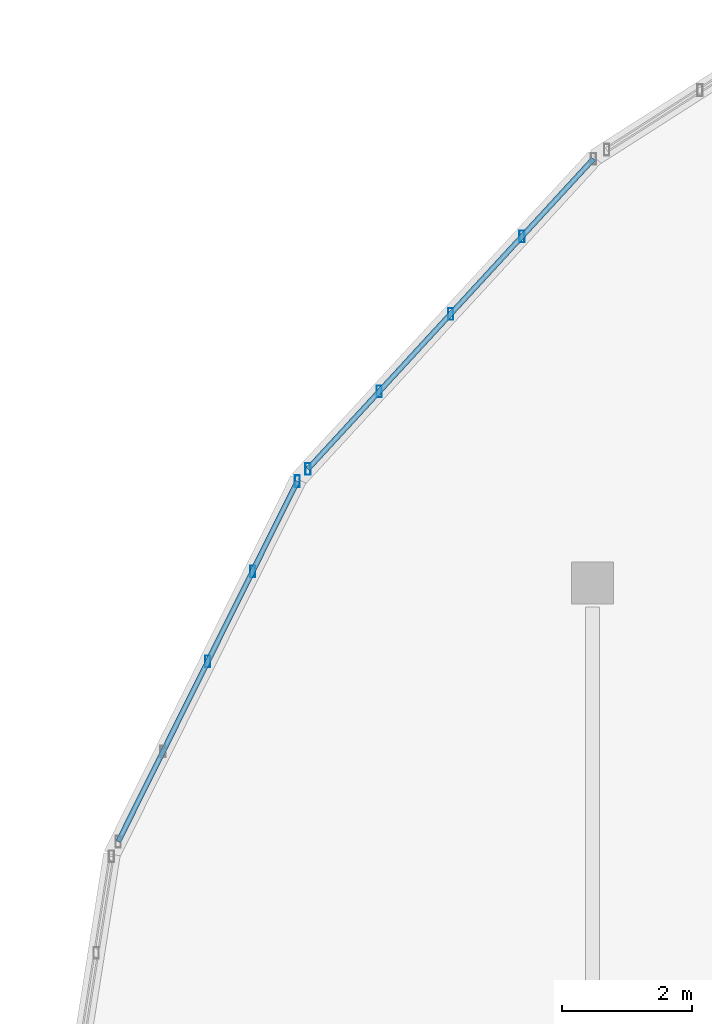
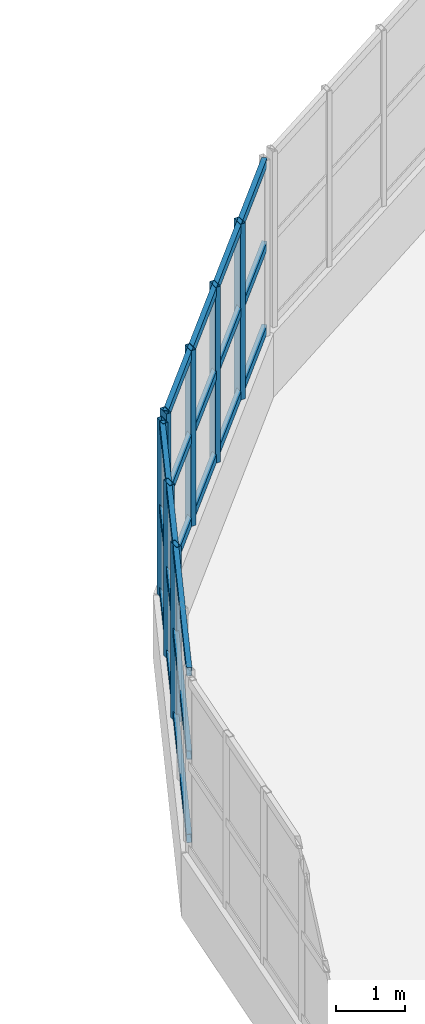
# One storey, part 12 of 50: 13 members, 2 elements without a shape of their own.
"""IFC4 building model written with IfcOpenShell, lengths in metres."""

from ifc_helpers import new_model, si_unit, direction, frame, origin, origin_2d, place, context, subcontext, project, spatial, hollow_rectangle, extrude, material, material_profile, profile_set, type_object, element, aggregate, save


model = new_model("IFC4")

# Units and contexts
model_context = context("Model", 3, precision=1e-05, world=origin(), true_north=direction((0.0, 1.0)))
body_context = subcontext(model_context, "Body", "Model", "MODEL_VIEW")
ifc_project = project(units=[si_unit("LENGTHUNIT", "METRE"), si_unit("AREAUNIT", "SQUARE_METRE"), si_unit("VOLUMEUNIT", "CUBIC_METRE"), si_unit("PLANEANGLEUNIT", "RADIAN"), si_unit("MASSUNIT", "GRAM", prefix="KILO")], contexts=[model_context])

# Site, building, storey
site_placement = place(None, origin())
site = spatial("IfcSite", under=ifc_project, at=site_placement, CompositionType="ELEMENT")
building_placement = place(site_placement, origin())
building = spatial("IfcBuilding", under=site, at=building_placement, Name="Solvento Point Concert Hall", CompositionType="ELEMENT")
storey_placement = place(building_placement, frame((0.0, 0.0, 15.0)))
storey = spatial("IfcBuildingStorey", under=building, at=storey_placement, Name="L03", CompositionType="ELEMENT", Elevation=15.0)

# Curtain wall, members
ifc_material_1 = material(Name="Anodized Bronze Aluminium", Category="aluminium")
curtain_wall_type = type_object("IfcCurtainWallType", Name="CurtainWall_RingRibbon_L03_04", PredefinedType="USERDEFINED", material=ifc_material_1)
curtain_wall_1_placement = place(storey_placement, origin())
curtain_wall_1 = element("IfcCurtainWall", 1, at=curtain_wall_1_placement, inside=storey, type_object=curtain_wall_type, Name="Unitised curtain wall CW-31 UCW-L03-192", ObjectType="UNITISED CURTAIN WALL", PredefinedType="USERDEFINED")
ifc_material_2 = material(Name="Anodized Bronze Aluminium", Category="aluminium")
ifc_material_profile_1 = material_profile(ifc_material_2, hollow_rectangle(XDim=0.080078125, YDim=0.179931640625, WallThickness=0.00390625, at=origin_2d()), Name="CW-MUL-80X180")
ifc_profile_set_1 = profile_set([ifc_material_profile_1], Name="Anodized Bronze Aluminium")
member_type_1 = type_object("IfcMemberType", Name="Mullion_80x180", PredefinedType="MULLION", material=ifc_profile_set_1)
member_1_placement = place(storey_placement, frame((34.8623046875, 41.291015625, 1.1201171875), z_axis=(0.0, 0.0, 1.0), x_axis=(1.0, 0.0, 0.0)))
member_1 = element("IfcMember", 2, at=member_1_placement, type_object=member_type_1, Name="Curtain wall mullion ML-01", PredefinedType="MULLION", context=body_context, shape_type="SweptSolid", body=[
    extrude(hollow_rectangle(XDim=0.080078125, YDim=0.179931640625, WallThickness=0.00390625, at=origin_2d()), origin(), (0.0, 0.0, 1.0), 3.08984375),
])
member_2_placement = place(storey_placement, frame((35.5537109375, 42.681884765625, 1.1201171875), z_axis=(0.0, 0.0, 1.0), x_axis=(1.0, 0.0, 0.0)))
member_2 = element("IfcMember", 3, at=member_2_placement, type_object=member_type_1, Name="Curtain wall mullion ML-01", PredefinedType="MULLION", context=body_context, shape_type="SweptSolid", body=[
    extrude(hollow_rectangle(XDim=0.080078125, YDim=0.179931640625, WallThickness=0.00390625, at=origin_2d()), origin(), (0.0, 0.0, 1.0), 3.08984375),
])
member_3_placement = place(storey_placement, frame((36.2451171875, 44.072998046875, 1.1201171875), z_axis=(0.0, 0.0, 1.0), x_axis=(1.0, 0.0, 0.0)))
member_3 = element("IfcMember", 4, at=member_3_placement, type_object=member_type_1, Name="Curtain wall mullion ML-01", PredefinedType="MULLION", context=body_context, shape_type="SweptSolid", body=[
    extrude(hollow_rectangle(XDim=0.080078125, YDim=0.179931640625, WallThickness=0.00390625, at=origin_2d()), origin(), (0.0, 0.0, 1.0), 3.08984375),
])

curtain_wall_2_placement = place(storey_placement, origin())
curtain_wall_2 = element("IfcCurtainWall", 5, at=curtain_wall_2_placement, inside=storey, type_object=curtain_wall_type, Name="Unitised curtain wall CW-31 UCW-L03-193", ObjectType="UNITISED CURTAIN WALL", PredefinedType="USERDEFINED")
member_4_placement = place(storey_placement, frame((36.407470703125, 44.26171875, 1.1201171875), z_axis=(0.0, 0.0, 1.0), x_axis=(1.0, 0.0, 0.0)))
member_4 = element("IfcMember", 6, at=member_4_placement, type_object=member_type_1, Name="Curtain wall mullion ML-01", PredefinedType="MULLION", context=body_context, shape_type="SweptSolid", body=[
    extrude(hollow_rectangle(XDim=0.080078125, YDim=0.179931640625, WallThickness=0.00390625, at=origin_2d()), origin(), (0.0, 0.0, 1.0), 3.08984375),
])
member_5_placement = place(storey_placement, frame((37.509521484375, 45.45849609375, 1.1201171875), z_axis=(0.0, 0.0, 1.0), x_axis=(1.0, 0.0, 0.0)))
member_5 = element("IfcMember", 7, at=member_5_placement, type_object=member_type_1, Name="Curtain wall mullion ML-01", PredefinedType="MULLION", context=body_context, shape_type="SweptSolid", body=[
    extrude(hollow_rectangle(XDim=0.080078125, YDim=0.179931640625, WallThickness=0.00390625, at=origin_2d()), origin(), (0.0, 0.0, 1.0), 3.08984375),
])
member_6_placement = place(storey_placement, frame((38.611083984375, 46.6552734375, 1.1201171875), z_axis=(0.0, 0.0, 1.0), x_axis=(1.0, 0.0, 0.0)))
member_6 = element("IfcMember", 8, at=member_6_placement, type_object=member_type_1, Name="Curtain wall mullion ML-01", PredefinedType="MULLION", context=body_context, shape_type="SweptSolid", body=[
    extrude(hollow_rectangle(XDim=0.080078125, YDim=0.179931640625, WallThickness=0.00390625, at=origin_2d()), origin(), (0.0, 0.0, 1.0), 3.08984375),
])
member_7_placement = place(storey_placement, frame((39.713134765625, 47.851806640625, 1.1201171875), z_axis=(0.0, 0.0, 1.0), x_axis=(1.0, 0.0, 0.0)))
member_7 = element("IfcMember", 9, at=member_7_placement, type_object=member_type_1, Name="Curtain wall mullion ML-01", PredefinedType="MULLION", context=body_context, shape_type="SweptSolid", body=[
    extrude(hollow_rectangle(XDim=0.080078125, YDim=0.179931640625, WallThickness=0.00390625, at=origin_2d()), origin(), (0.0, 0.0, 1.0), 3.08984375),
])

# Member
ifc_material_3 = material(Name="Anodized Bronze Aluminium", Category="aluminium")
ifc_material_profile_2 = material_profile(ifc_material_3, hollow_rectangle(XDim=0.080078125, YDim=0.14990234375, WallThickness=0.00390625, at=origin_2d()), Name="CW-TRN-80X150")
ifc_profile_set_2 = profile_set([ifc_material_profile_2], Name="Anodized Bronze Aluminium")
member_type_2 = type_object("IfcMemberType", Name="Transom_80x150", PredefinedType="USERDEFINED", material=ifc_profile_set_2)
member_8_placement = place(storey_placement, frame((33.479248046875, 38.5087890625, 1.199951171875), z_axis=(0.445122119468, 0.895469875965, 0.0), x_axis=(-0.895469875965, 0.445122119468, 0.0)))
member_8 = element("IfcMember", 10, at=member_8_placement, type_object=member_type_2, Name="Curtain wall transom TR-01", ObjectType="TRANSOM", PredefinedType="USERDEFINED", context=body_context, shape_type="SweptSolid", body=[
    extrude(hollow_rectangle(XDim=0.080078125, YDim=0.14990234375, WallThickness=0.00390625, at=origin_2d()), origin(), (0.0, 0.0, 1.0), 6.213623046875),
])

member_9_placement = place(storey_placement, frame((33.479248046875, 38.5087890625, 2.6650390625), z_axis=(0.445122119468, 0.895469875965, 0.0), x_axis=(-0.895469875965, 0.445122119468, 0.0)))
member_9 = element("IfcMember", 11, at=member_9_placement, type_object=member_type_2, Name="Curtain wall transom TR-01", ObjectType="TRANSOM", PredefinedType="USERDEFINED", context=body_context, shape_type="SweptSolid", body=[
    extrude(hollow_rectangle(XDim=0.080078125, YDim=0.14990234375, WallThickness=0.00390625, at=origin_2d()), origin(), (0.0, 0.0, 1.0), 6.213623046875),
])

member_10_placement = place(storey_placement, frame((33.479248046875, 38.5087890625, 4.1298828125), z_axis=(0.445122119468, 0.895469875965, 0.0), x_axis=(-0.895469875965, 0.445122119468, 0.0)))
member_10 = element("IfcMember", 12, at=member_10_placement, type_object=member_type_2, Name="Curtain wall transom TR-01", ObjectType="TRANSOM", PredefinedType="USERDEFINED", context=body_context, shape_type="SweptSolid", body=[
    extrude(hollow_rectangle(XDim=0.080078125, YDim=0.14990234375, WallThickness=0.00390625, at=origin_2d()), origin(), (0.0, 0.0, 1.0), 6.213623046875),
])

aggregate(curtain_wall_1, [member_1, member_2, member_3, member_8, member_9, member_10])

member_11_placement = place(storey_placement, frame((36.407470703125, 44.26171875, 1.199951171875), z_axis=(0.677352346042, 0.735658751944, 0.0), x_axis=(-0.735658751944, 0.677352346042, 0.0)))
member_11 = element("IfcMember", 13, at=member_11_placement, type_object=member_type_2, Name="Curtain wall transom TR-01", ObjectType="TRANSOM", PredefinedType="USERDEFINED", context=body_context, shape_type="SweptSolid", body=[
    extrude(hollow_rectangle(XDim=0.080078125, YDim=0.14990234375, WallThickness=0.00390625, at=origin_2d()), origin(), (0.0, 0.0, 1.0), 6.5068359375),
])

member_12_placement = place(storey_placement, frame((36.407470703125, 44.26171875, 2.6650390625), z_axis=(0.677352346042, 0.735658751944, 0.0), x_axis=(-0.735658751944, 0.677352346042, 0.0)))
member_12 = element("IfcMember", 14, at=member_12_placement, type_object=member_type_2, Name="Curtain wall transom TR-01", ObjectType="TRANSOM", PredefinedType="USERDEFINED", context=body_context, shape_type="SweptSolid", body=[
    extrude(hollow_rectangle(XDim=0.080078125, YDim=0.14990234375, WallThickness=0.00390625, at=origin_2d()), origin(), (0.0, 0.0, 1.0), 6.5068359375),
])

member_13_placement = place(storey_placement, frame((36.407470703125, 44.26171875, 4.1298828125), z_axis=(0.677352346042, 0.735658751944, 0.0), x_axis=(-0.735658751944, 0.677352346042, 0.0)))
member_13 = element("IfcMember", 15, at=member_13_placement, type_object=member_type_2, Name="Curtain wall transom TR-01", ObjectType="TRANSOM", PredefinedType="USERDEFINED", context=body_context, shape_type="SweptSolid", body=[
    extrude(hollow_rectangle(XDim=0.080078125, YDim=0.14990234375, WallThickness=0.00390625, at=origin_2d()), origin(), (0.0, 0.0, 1.0), 6.5068359375),
])

aggregate(curtain_wall_2, [member_4, member_5, member_6, member_7, member_11, member_12, member_13])

save(model, "model.ifc")
